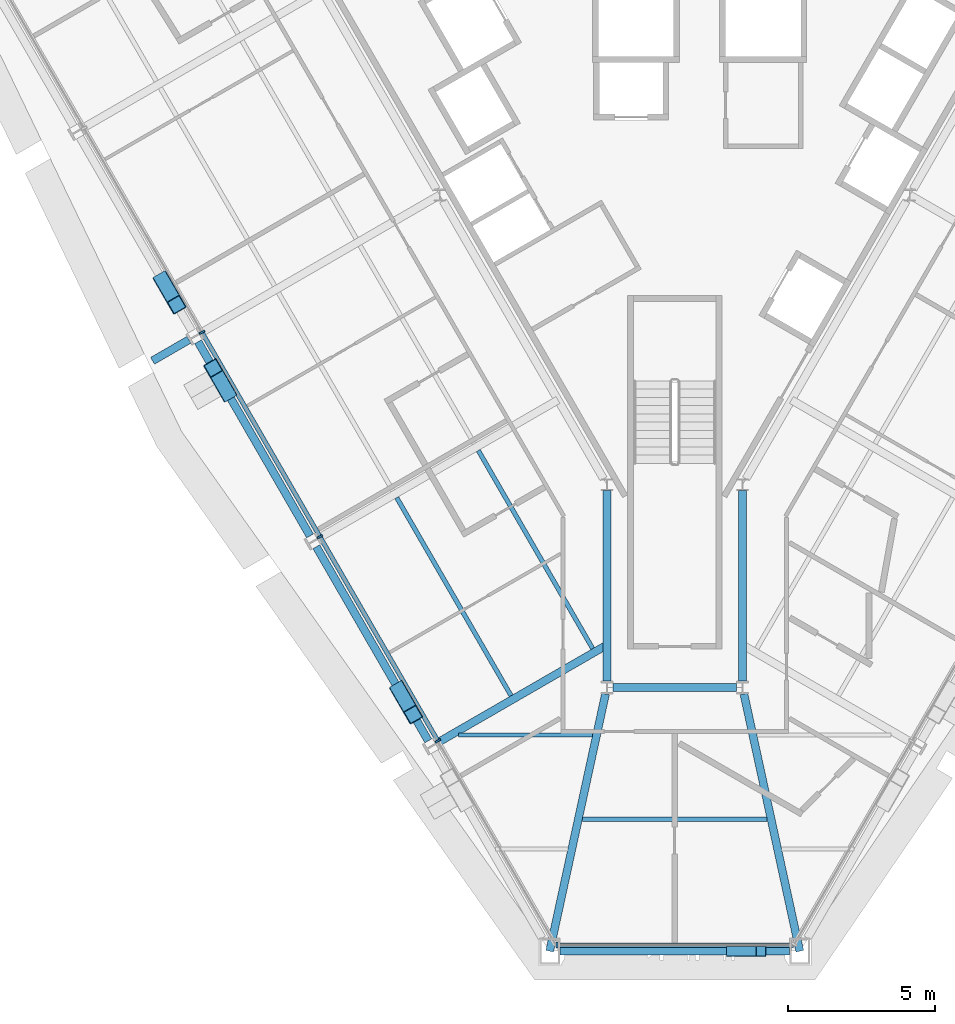
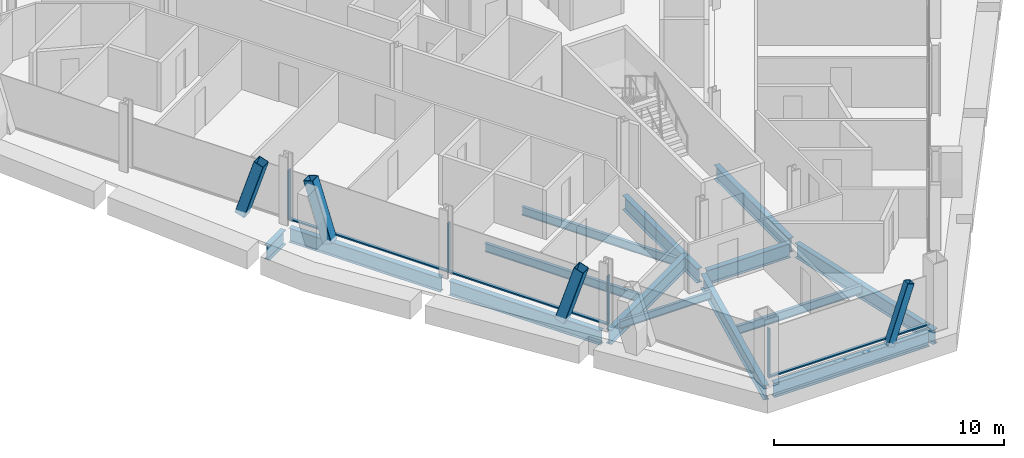
# One storey, part 3 of 16: 14 beams, 11 members, 2 elements without a shape of their own.
"""IFC4 building model written with IfcOpenShell, lengths in metres."""

from ifc_helpers import new_model, si_unit, direction, frame, origin, origin_2d, place, context, subcontext, project, spatial, rectangle, hollow_rectangle, i_section, extrude, material, material_profile, profile_set, type_object, element, aggregate, save


model = new_model("IFC4")

# Units and contexts
model_context = context("Model", 3, precision=1e-05, world=origin(), true_north=direction((0.0, 1.0)))
body_context = subcontext(model_context, "Body", "Model", "MODEL_VIEW")
ifc_project = project(units=[si_unit("LENGTHUNIT", "METRE"), si_unit("AREAUNIT", "SQUARE_METRE"), si_unit("VOLUMEUNIT", "CUBIC_METRE"), si_unit("PLANEANGLEUNIT", "RADIAN"), si_unit("MASSUNIT", "GRAM", prefix="KILO")], contexts=[model_context])

# Site, building, storey
site_placement = place(None, origin())
site = spatial("IfcSite", under=ifc_project, at=site_placement, CompositionType="ELEMENT")
building_placement = place(site_placement, origin())
building = spatial("IfcBuilding", under=site, at=building_placement, Name="Verrane Prism Tower", CompositionType="ELEMENT")
storey_placement = place(building_placement, frame((0.0, 0.0, 110.800048828125)))
storey = spatial("IfcBuildingStorey", under=building, at=storey_placement, Name="L26", CompositionType="ELEMENT", Elevation=110.800048828125)

# Member
ifc_material_1 = material(Name="Steel A500 Grade C", Category="steel")
ifc_material_profile_1 = material_profile(ifc_material_1, hollow_rectangle(XDim=0.355712890625, YDim=0.355712890625, WallThickness=0.0126953125, InnerFilletRadius=0.00634765625, OuterFilletRadius=0.01904296875, at=origin_2d()), Name="HSS14x14x1/2")
ifc_profile_set_1 = profile_set([ifc_material_profile_1], Name="Steel A500 Grade C")
member_type_1 = type_object("IfcMemberType", Name="Chamfer brace HSS14x14x1/2", PredefinedType="BRACE", material=ifc_profile_set_1)
member_1_placement = place(storey_placement, frame((1.91748046875, -30.239990234375, -0.2451171875), z_axis=(0.318907825084, 0.0, 0.947785734805), x_axis=(0.0, 1.0, 0.0)))
element("IfcMember", 1, at=member_1_placement, inside=storey, type_object=member_type_1, Name="Chamfer brace S0 L26", PredefinedType="BRACE", context=body_context, shape_type="SweptSolid", body=[
    extrude(hollow_rectangle(XDim=0.355712890625, YDim=0.355712890625, WallThickness=0.0126953125, InnerFilletRadius=0.00634765625, OuterFilletRadius=0.01904296875, at=origin_2d()), origin(), (0.0, 0.0, 1.0), 3.168701171875),
])

# Beams
ifc_material_2 = material(Name="Steel A992", Category="steel")
ifc_material_profile_2 = material_profile(ifc_material_2, i_section(OverallWidth=0.2666015625, OverallDepth=0.76708984375, WebThickness=0.014892578125, FlangeThickness=0.023681640625, FilletRadius=0.0166015625, at=origin_2d()), Name="W30x124")
ifc_profile_set_2 = profile_set([ifc_material_profile_2], Name="Steel A992")
beam_type_1 = type_object("IfcBeamType", Name="Chamfer spandrel beam W30x124", PredefinedType="SPANDREL", material=ifc_profile_set_2)
beam_1_placement = place(storey_placement, frame((-3.889892578125, -30.239990234375, -0.54345703125), z_axis=(1.0, 0.0, 0.0), x_axis=(0.0, 1.0, 0.0)))
element("IfcBeam", 2, at=beam_1_placement, inside=storey, type_object=beam_type_1, Name="Chamfer spandrel beam L26", PredefinedType="SPANDREL", context=body_context, shape_type="SweptSolid", body=[
    extrude(i_section(OverallWidth=0.2666015625, OverallDepth=0.76708984375, WebThickness=0.014892578125, FlangeThickness=0.023681640625, FilletRadius=0.0166015625, at=origin_2d()), origin(), (0.0, 0.0, 1.0), 7.77978515625),
])
ifc_material_3 = material(Name="Steel A992", Category="steel")
ifc_material_profile_3 = material_profile(ifc_material_3, i_section(OverallWidth=0.2666015625, OverallDepth=0.7568359375, WebThickness=0.013916015625, FlangeThickness=0.019287109375, FilletRadius=0.0166015625, at=origin_2d()), Name="W30x108")
ifc_profile_set_3 = profile_set([ifc_material_profile_3], Name="Steel A992")
beam_type_2 = type_object("IfcBeamType", Name="Core ring girder W30x108", PredefinedType="BEAM", material=ifc_profile_set_3)
beam_2_placement = place(storey_placement, frame((-2.300048828125, -14.619384765625, -0.628662109375), z_axis=(0.0, -1.0, 0.0), x_axis=(1.0, 0.0, 0.0)))
element("IfcBeam", 3, at=beam_2_placement, inside=storey, type_object=beam_type_2, Name="Core ring girder L26", PredefinedType="BEAM", context=body_context, shape_type="SweptSolid", body=[
    extrude(i_section(OverallWidth=0.2666015625, OverallDepth=0.7568359375, WebThickness=0.013916015625, FlangeThickness=0.019287109375, FilletRadius=0.0166015625, at=origin_2d()), origin(), (0.0, 0.0, 1.0), 6.46337890625),
])
beam_3_placement = place(storey_placement, frame((-2.09423828125, -21.300048828125, -0.628662109375), z_axis=(1.0, 0.0, 0.0), x_axis=(0.0, 1.0, 0.0)))
element("IfcBeam", 4, at=beam_3_placement, inside=storey, type_object=beam_type_2, Name="Core ring girder L26", PredefinedType="BEAM", context=body_context, shape_type="SweptSolid", body=[
    extrude(i_section(OverallWidth=0.2666015625, OverallDepth=0.7568359375, WebThickness=0.013916015625, FlangeThickness=0.019287109375, FilletRadius=0.0166015625, at=origin_2d()), origin(), (0.0, 0.0, 1.0), 4.1884765625),
])
beam_4_placement = place(storey_placement, frame((2.300048828125, -21.082763671875, -0.628662109375), z_axis=(0.0, 1.0, 0.0), x_axis=(-1.0, 0.0, 0.0)))
element("IfcBeam", 5, at=beam_4_placement, inside=storey, type_object=beam_type_2, Name="Core ring girder L26", PredefinedType="BEAM", context=body_context, shape_type="SweptSolid", body=[
    extrude(i_section(OverallWidth=0.2666015625, OverallDepth=0.7568359375, WebThickness=0.013916015625, FlangeThickness=0.019287109375, FilletRadius=0.0166015625, at=origin_2d()), origin(), (0.0, 0.0, 1.0), 6.46337890625),
])
ifc_material_4 = material(Name="Steel A992", Category="steel")
ifc_material_profile_4 = material_profile(ifc_material_4, i_section(OverallWidth=0.2666015625, OverallDepth=0.76708984375, WebThickness=0.014892578125, FlangeThickness=0.023681640625, FilletRadius=0.0166015625, at=origin_2d()), Name="W30x124")
ifc_profile_set_4 = profile_set([ifc_material_profile_4], Name="Steel A992")
beam_type_3 = type_object("IfcBeamType", Name="Corner girder W30x124", PredefinedType="BEAM", material=ifc_profile_set_4)
for number, where, z_axis, x_axis, name in (
    (6, (-4.239501953125, -30.2373046875, -0.603515625), (0.21206955081, 0.977254575645, 0.0), (-0.977254575645, 0.21206955081, 0.0), "Corner girder L26"),
    (7, (4.239501953125, -30.2373046875, -0.603515625), (-0.21206955081, 0.977254575645, 0.0), (-0.977254575645, -0.21206955081, 0.0), "Corner girder L26"),
):
    element("IfcBeam", number, at=place(storey_placement, frame(where, z_axis=z_axis, x_axis=x_axis)), inside=storey, type_object=beam_type_3, Name=name, PredefinedType="BEAM", context=body_context, shape_type="SweptSolid", body=[
        extrude(i_section(OverallWidth=0.2666015625, OverallDepth=0.76708984375, WebThickness=0.014892578125, FlangeThickness=0.023681640625, FilletRadius=0.0166015625, at=origin_2d()), origin(), (0.0, 0.0, 1.0), 8.923095703125),
    ])

# Members
ifc_material_5 = material(Name="Steel A1085 Grade A", Category="steel")
ifc_material_profile_5 = material_profile(ifc_material_5, hollow_rectangle(XDim=0.508056640625, YDim=0.508056640625, WallThickness=0.025390625, InnerFilletRadius=0.0126953125, OuterFilletRadius=0.0380859375, at=origin_2d()), Name="HSS20x20x1")
ifc_profile_set_5 = profile_set([ifc_material_profile_5], Name="Steel A1085 Grade A")
member_type_2 = type_object("IfcMemberType", Name="Facade brace HSS20x20x1", PredefinedType="BRACE", material=ifc_profile_set_5)
member_2_placement = place(storey_placement, frame((-17.36865234375, -7.488525390625, -0.24267578125), z_axis=(0.151657565217, -0.262481272997, 0.952944680576), x_axis=(0.865862617474, 0.500281848222, 0.0)))
element("IfcMember", 8, at=member_2_placement, inside=storey, type_object=member_type_2, Name="Facade brace SW2 L26", PredefinedType="BRACE", context=body_context, shape_type="SweptSolid", body=[
    extrude(hollow_rectangle(XDim=0.508056640625, YDim=0.508056640625, WallThickness=0.025390625, InnerFilletRadius=0.0126953125, OuterFilletRadius=0.0380859375, at=origin_2d()), origin(), (0.0, 0.0, 1.0), 3.15673828125),
])
for number, where, z_axis, x_axis, name in (
    (9, (-15.17138671875, -11.294189453125, -0.24267578125), (-0.151645245186, 0.262769272383, 0.952867267306), (-0.866117682712, -0.499840134137, 0.0), "Facade brace SW3 L26"),
    (10, (-9.3486328125, -21.385986328125, -0.24267578125), (0.151645245186, -0.262769272383, 0.952867267306), (0.866117682712, 0.499840134137, 0.0), "Facade brace SW4 L26"),
):
    element("IfcMember", number, at=place(storey_placement, frame(where, z_axis=z_axis, x_axis=x_axis)), inside=storey, type_object=member_type_2, Name=name, PredefinedType="BRACE", context=body_context, shape_type="SweptSolid", body=[
        extrude(hollow_rectangle(XDim=0.508056640625, YDim=0.508056640625, WallThickness=0.025390625, InnerFilletRadius=0.0126953125, OuterFilletRadius=0.0380859375, at=origin_2d()), origin(), (0.0, 0.0, 1.0), 3.156982421875),
    ])

# Beams
ifc_material_6 = material(Name="Steel A992", Category="steel")
ifc_material_profile_6 = material_profile(ifc_material_6, i_section(OverallWidth=0.140380859375, OverallDepth=0.40380859375, WebThickness=0.007080078125, FlangeThickness=0.01123046875, FilletRadius=0.01025390625, at=origin_2d()), Name="W16x31")
ifc_profile_set_6 = profile_set([ifc_material_profile_6], Name="Steel A992")
beam_type_4 = type_object("IfcBeamType", Name="Floor beam W16x31", PredefinedType="BEAM", material=ifc_profile_set_6)
beam_5_placement = place(storey_placement, frame((-7.33154296875, -22.913330078125, -0.362060546875), z_axis=(1.0, 0.0, 0.0), x_axis=(0.0, 1.0, 0.0)))
element("IfcBeam", 11, at=beam_5_placement, inside=storey, type_object=beam_type_4, Name="Floor beam L26", PredefinedType="BEAM", context=body_context, shape_type="SweptSolid", body=[
    extrude(i_section(OverallWidth=0.140380859375, OverallDepth=0.40380859375, WebThickness=0.007080078125, FlangeThickness=0.01123046875, FilletRadius=0.01025390625, at=origin_2d()), origin(), (0.0, 0.0, 1.0), 4.544921875),
])
ifc_material_7 = material(Name="Steel A992", Category="steel")
ifc_material_profile_7 = material_profile(ifc_material_7, i_section(OverallWidth=0.15234375, OverallDepth=0.449462890625, WebThickness=0.007568359375, FlangeThickness=0.0107421875, FilletRadius=0.01025390625, at=origin_2d()), Name="W18x35")
ifc_profile_set_7 = profile_set([ifc_material_profile_7], Name="Steel A992")
beam_type_5 = type_object("IfcBeamType", Name="Floor beam W18x35", PredefinedType="BEAM", material=ifc_profile_set_7)
beam_6_placement = place(storey_placement, frame((-2.783203125, -19.97509765625, -0.384765625), z_axis=(-0.500000526688, 0.866025099701, 0.0), x_axis=(-0.866025099701, -0.500000526688, 0.0)))
element("IfcBeam", 12, at=beam_6_placement, inside=storey, type_object=beam_type_5, Name="Floor beam L26", PredefinedType="BEAM", context=body_context, shape_type="SweptSolid", body=[
    extrude(i_section(OverallWidth=0.15234375, OverallDepth=0.449462890625, WebThickness=0.007568359375, FlangeThickness=0.0107421875, FilletRadius=0.01025390625, at=origin_2d()), origin(), (0.0, 0.0, 1.0), 7.751953125),
])
beam_7_placement = place(storey_placement, frame((-5.5498046875, -21.57470703125, -0.384765625), z_axis=(-0.500009527944, 0.866019902754, 0.0), x_axis=(-0.866019902754, -0.500009527944, 0.0)))
element("IfcBeam", 13, at=beam_7_placement, inside=storey, type_object=beam_type_5, Name="Floor beam L26", PredefinedType="BEAM", context=body_context, shape_type="SweptSolid", body=[
    extrude(i_section(OverallWidth=0.15234375, OverallDepth=0.449462890625, WebThickness=0.007568359375, FlangeThickness=0.0107421875, FilletRadius=0.01025390625, at=origin_2d()), origin(), (0.0, 0.0, 1.0), 7.754150390625),
])
beam_8_placement = place(storey_placement, frame((-3.13330078125, -25.77001953125, -0.384765625), z_axis=(1.0, 0.0, 0.0), x_axis=(0.0, 1.0, 0.0)))
element("IfcBeam", 14, at=beam_8_placement, inside=storey, type_object=beam_type_5, Name="Floor beam L26", PredefinedType="BEAM", context=body_context, shape_type="SweptSolid", body=[
    extrude(i_section(OverallWidth=0.15234375, OverallDepth=0.449462890625, WebThickness=0.007568359375, FlangeThickness=0.0107421875, FilletRadius=0.01025390625, at=origin_2d()), origin(), (0.0, 0.0, 1.0), 6.2666015625),
])

# Curtain wall, members
ifc_material_8 = material(Name="Aluminium framed insulated glazing", Category="aluminium")
curtain_wall_type = type_object("IfcCurtainWallType", Name="Curtain wall CW-A 8400 module", PredefinedType="NOTDEFINED", material=ifc_material_8)
curtain_wall_1_placement = place(storey_placement, origin())
curtain_wall_1 = element("IfcCurtainWall", 15, at=curtain_wall_1_placement, inside=storey, type_object=curtain_wall_type, Name="Glazed curtain wall south-west face L26", PredefinedType="NOTDEFINED")
ifc_material_9 = material(Name="Aluminium alloy 6063-T6", Category="aluminium")
ifc_material_profile_8 = material_profile(ifc_material_9, rectangle(XDim=0.199951171875, YDim=0.070068359375, at=origin_2d()), Name="Mullion 70x200 aluminium")
ifc_profile_set_8 = profile_set([ifc_material_profile_8], Name="Aluminium alloy 6063-T6")
member_type_3 = type_object("IfcMemberType", Name="Mullion 70x200 aluminium", PredefinedType="MULLION", material=ifc_profile_set_8)
member_3_placement = place(storey_placement, frame((-16.031005859375, -9.255615234375, 0.0), z_axis=(0.0, 0.0, 1.0), x_axis=(0.866025402318, 0.500000002539, 0.0)))
member_3 = element("IfcMember", 16, at=member_3_placement, type_object=member_type_3, Name="CW24.4 mullion 4", PredefinedType="MULLION", context=body_context, shape_type="SweptSolid", body=[
    extrude(rectangle(XDim=0.199951171875, YDim=0.070068359375, at=origin_2d()), origin(), (0.0, 0.0, 1.0), 2.61279296875),
])
member_4_placement = place(storey_placement, frame((-12.031982421875, -16.181884765625, 0.0), z_axis=(0.0, 0.0, 1.0), x_axis=(0.866025402318, 0.500000002539, 0.0)))
member_4 = element("IfcMember", 17, at=member_4_placement, type_object=member_type_3, Name="CW24.4 mullion 5", PredefinedType="MULLION", context=body_context, shape_type="SweptSolid", body=[
    extrude(rectangle(XDim=0.199951171875, YDim=0.070068359375, at=origin_2d()), origin(), (0.0, 0.0, 1.0), 2.61279296875),
])
member_5_placement = place(storey_placement, frame((-8.032958984375, -23.1083984375, 0.0), z_axis=(0.0, 0.0, 1.0), x_axis=(0.866025402318, 0.500000002539, 0.0)))
member_5 = element("IfcMember", 18, at=member_5_placement, type_object=member_type_3, Name="CW24.4 mullion 6", PredefinedType="MULLION", context=body_context, shape_type="SweptSolid", body=[
    extrude(rectangle(XDim=0.199951171875, YDim=0.070068359375, at=origin_2d()), origin(), (0.0, 0.0, 1.0), 2.61279296875),
])

# Curtain wall, member
curtain_wall_2_placement = place(storey_placement, origin())
curtain_wall_2 = element("IfcCurtainWall", 19, at=curtain_wall_2_placement, inside=storey, type_object=curtain_wall_type, Name="Glazed curtain wall south corner L26", PredefinedType="NOTDEFINED")
member_6_placement = place(storey_placement, frame((-3.998779296875, -30.034912109375, 0.0), z_axis=(0.0, 0.0, 1.0), x_axis=(0.0, 1.0, 0.0)))
member_6 = element("IfcMember", 20, at=member_6_placement, type_object=member_type_3, Name="CW24.5 mullion 1", PredefinedType="MULLION", context=body_context, shape_type="SweptSolid", body=[
    extrude(rectangle(XDim=0.199951171875, YDim=0.070068359375, at=origin_2d()), origin(), (0.0, 0.0, 1.0), 2.61279296875),
])

# Beams
ifc_material_10 = material(Name="Steel A992", Category="steel")
ifc_material_profile_9 = material_profile(ifc_material_10, i_section(OverallWidth=0.2666015625, OverallDepth=0.76708984375, WebThickness=0.014892578125, FlangeThickness=0.023681640625, FilletRadius=0.0166015625, at=origin_2d()), Name="W30x124")
ifc_profile_set_9 = profile_set([ifc_material_profile_9], Name="Steel A992")
beam_type_6 = type_object("IfcBeamType", Name="Radial girder W30x124", PredefinedType="BEAM", material=ifc_profile_set_9)
beam_9_placement = place(storey_placement, frame((-8.044189453125, -23.17138671875, -0.603515625), z_axis=(0.866007825616, 0.500030445044, 0.0), x_axis=(-0.500030445044, 0.866007825616, 0.0)))
element("IfcBeam", 21, at=beam_9_placement, inside=storey, type_object=beam_type_6, Name="Radial girder L26", PredefinedType="BEAM", context=body_context, shape_type="SweptSolid", body=[
    extrude(i_section(OverallWidth=0.2666015625, OverallDepth=0.76708984375, WebThickness=0.014892578125, FlangeThickness=0.023681640625, FilletRadius=0.0166015625, at=origin_2d()), origin(), (0.0, 0.0, 1.0), 6.6328125),
])
beam_10_placement = place(storey_placement, frame((-16.47216796875, -9.506591796875, -0.603515625), z_axis=(-0.865988727248, -0.500063520245, 0.0), x_axis=(0.500063520245, -0.865988727248, 0.0)))
element("IfcBeam", 22, at=beam_10_placement, inside=storey, type_object=beam_type_6, Name="Cantilever girder L26", PredefinedType="BEAM", context=body_context, shape_type="SweptSolid", body=[
    extrude(i_section(OverallWidth=0.2666015625, OverallDepth=0.76708984375, WebThickness=0.014892578125, FlangeThickness=0.023681640625, FilletRadius=0.0166015625, at=origin_2d()), origin(), (0.0, 0.0, 1.0), 1.425048828125),
])
ifc_material_11 = material(Name="Steel A992", Category="steel")
ifc_material_profile_10 = material_profile(ifc_material_11, i_section(OverallWidth=0.2666015625, OverallDepth=0.7568359375, WebThickness=0.013916015625, FlangeThickness=0.019287109375, FilletRadius=0.0166015625, at=origin_2d()), Name="W30x108")
ifc_profile_set_10 = profile_set([ifc_material_profile_10], Name="Steel A992")
beam_type_7 = type_object("IfcBeamType", Name="Spandrel beam W30x108", PredefinedType="SPANDREL", material=ifc_profile_set_10)
for number, where, z_axis, x_axis, name in (
    (23, (-16.1640625, -9.57373046875, -0.53857421875), (0.499770658239, -0.866157773828, 0.0), (0.866157773828, 0.499770658239, 0.0), "Spandrel beam L26"),
    (24, (-12.154052734375, -16.523681640625, -0.53857421875), (0.499770658239, -0.866157773828, 0.0), (0.866157773828, 0.499770658239, 0.0), "Spandrel beam L26"),
):
    element("IfcBeam", number, at=place(storey_placement, frame(where, z_axis=z_axis, x_axis=x_axis)), inside=storey, type_object=beam_type_7, Name=name, PredefinedType="SPANDREL", context=body_context, shape_type="SweptSolid", body=[
        extrude(i_section(OverallWidth=0.2666015625, OverallDepth=0.7568359375, WebThickness=0.013916015625, FlangeThickness=0.019287109375, FilletRadius=0.0166015625, at=origin_2d()), origin(), (0.0, 0.0, 1.0), 7.599609375),
    ])

# Member
ifc_material_12 = material(Name="Aluminium alloy 6063-T6", Category="aluminium")
ifc_material_profile_11 = material_profile(ifc_material_12, rectangle(XDim=0.14990234375, YDim=0.070068359375, at=origin_2d()), Name="Transom 70x150 aluminium")
ifc_profile_set_11 = profile_set([ifc_material_profile_11], Name="Aluminium alloy 6063-T6")
member_type_4 = type_object("IfcMemberType", Name="Transom 70x150 aluminium", PredefinedType="USERDEFINED", material=ifc_profile_set_11)
member_7_placement = place(storey_placement, frame((-16.013427734375, -9.285888671875, 0.034912109375), z_axis=(0.50001745439, -0.866015326253, 0.0), x_axis=(0.866015326253, 0.50001745439, 0.0)))
member_7 = element("IfcMember", 25, at=member_7_placement, type_object=member_type_4, Name="CW24.4 transom 4", ObjectType="TRANSOM", PredefinedType="USERDEFINED", context=body_context, shape_type="SweptSolid", body=[
    extrude(rectangle(XDim=0.14990234375, YDim=0.070068359375, at=origin_2d()), origin(), (0.0, 0.0, 1.0), 7.927978515625),
])

member_8_placement = place(storey_placement, frame((-12.014404296875, -16.21240234375, 0.034912109375), z_axis=(0.499994358189, -0.866028661061, 0.0), x_axis=(0.866028661061, 0.499994358189, 0.0)))
member_8 = element("IfcMember", 26, at=member_8_placement, type_object=member_type_4, Name="CW24.4 transom 5", ObjectType="TRANSOM", PredefinedType="USERDEFINED", context=body_context, shape_type="SweptSolid", body=[
    extrude(rectangle(XDim=0.14990234375, YDim=0.070068359375, at=origin_2d()), origin(), (0.0, 0.0, 1.0), 7.927734375),
])

aggregate(curtain_wall_1, [member_3, member_4, member_5, member_7, member_8])

member_9_placement = place(storey_placement, frame((-3.9638671875, -30.034912109375, 0.034912109375), z_axis=(1.0, 0.0, 0.0), x_axis=(0.0, 1.0, 0.0)))
member_9 = element("IfcMember", 27, at=member_9_placement, type_object=member_type_4, Name="CW24.5 transom 1", ObjectType="TRANSOM", PredefinedType="USERDEFINED", context=body_context, shape_type="SweptSolid", body=[
    extrude(rectangle(XDim=0.14990234375, YDim=0.070068359375, at=origin_2d()), origin(), (0.0, 0.0, 1.0), 7.997802734375),
])

aggregate(curtain_wall_2, [member_6, member_9])

save(model, "model.ifc")
